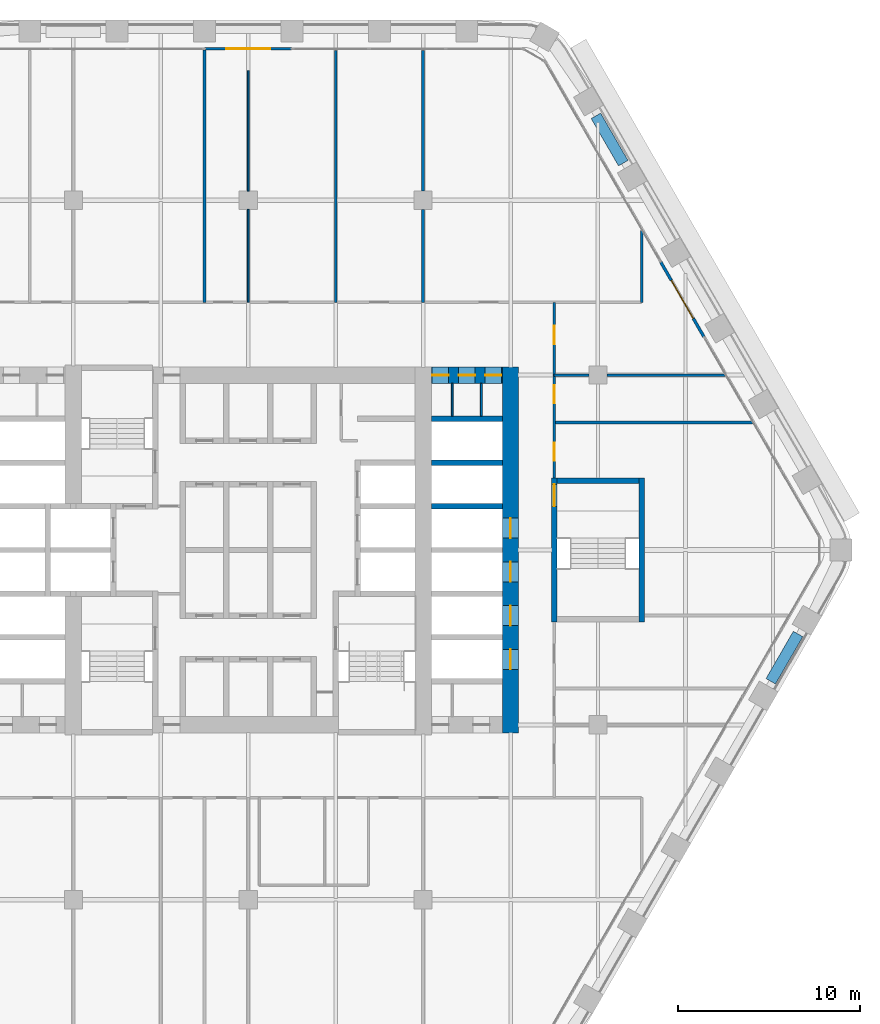
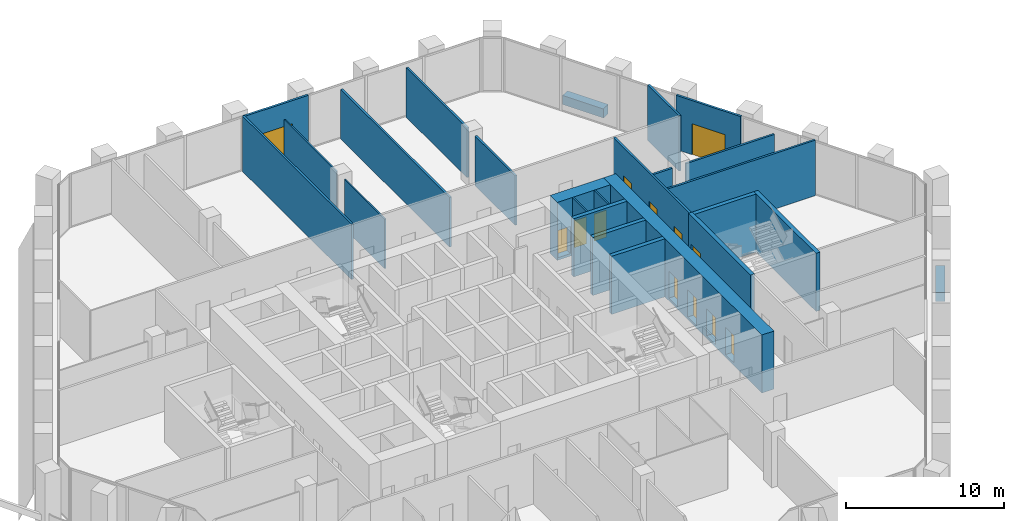
# One storey, part 19 of 26: 25 walls, 13 doors, 13 openings.
"""IFC4 building model written with IfcOpenShell, lengths in metres."""

from ifc_helpers import new_model, si_unit, direction, frame, frame_2d, origin, place, context, subcontext, project, spatial, rectangle, extrude, material, layer, layer_set, type_object, element, fill, save


model = new_model("IFC4")

# Units and contexts
model_context = context("Model", 3, precision=1e-05, world=origin(), true_north=direction((0.0, 1.0)))
body_context = subcontext(model_context, "Body", "Model", "MODEL_VIEW")
ifc_project = project(units=[si_unit("LENGTHUNIT", "METRE"), si_unit("AREAUNIT", "SQUARE_METRE"), si_unit("VOLUMEUNIT", "CUBIC_METRE"), si_unit("PLANEANGLEUNIT", "RADIAN"), si_unit("MASSUNIT", "GRAM", prefix="KILO")], contexts=[model_context])

# Site, building, storey
site_placement = place(None, origin())
site = spatial("IfcSite", under=ifc_project, at=site_placement, CompositionType="ELEMENT")
building_placement = place(site_placement, origin())
building = spatial("IfcBuilding", under=site, at=building_placement, Name="Kolab Exchange Tower", CompositionType="ELEMENT")
storey_placement = place(building_placement, frame((0.0, 0.0, 104.89990234375)))
storey = spatial("IfcBuildingStorey", under=building, at=storey_placement, Name="L20", CompositionType="ELEMENT", Elevation=104.89990234375)

# Wall, openings, doors
ifc_material_1 = material(Name="Concrete C70/85", Category="concrete")
ifc_layer_1 = layer(ifc_material_1, 0.89990234375)
ifc_layer_set_1 = layer_set([ifc_layer_1], Name="Concrete C70/85")
wall_type_1 = type_object("IfcWallType", Name="CORE WALL 900 C70/85", PredefinedType="SHEAR", material=ifc_layer_set_1)
wall_1_placement = place(storey_placement, frame((10.050048828125, 9.60009765625, -0.199951171875), z_axis=(0.0, 0.0, 1.0), x_axis=(1.0, 0.0, 0.0)))
wall_1 = element("IfcWall", 1, at=wall_1_placement, inside=storey, type_object=wall_type_1, Name="wall/L20/core/053", PredefinedType="SHEAR", context=body_context, shape_type="SweptSolid", body=[
    extrude(rectangle(XDim=3.89990234375, YDim=0.89990234375, at=frame_2d((1.949951171875, 0.0))), origin(), (0.0, 0.0, 1.0), 4.5),
])
opening_1_placement = place(wall_1_placement, frame((0.050048828125, 0.0, 0.199951171875)))
opening_1 = element("IfcOpeningElement", 2, at=opening_1_placement, cuts=wall_1, Name="Opening D6-211", PredefinedType="OPENING", context=body_context, shape_type="SweptSolid", body=[
    extrude(rectangle(XDim=0.89990234375, YDim=2.10009765625, at=frame_2d((0.449951171875, 1.050048828125))), frame((0.0, 0.4599609375, 0.0), z_axis=(0.0, -1.0, 0.0), x_axis=(1.0, 0.0, 0.0)), (0.0, 0.0, 1.0), 0.919921875),
])
opening_2_placement = place(wall_1_placement, frame((1.5, 0.0, 0.199951171875)))
opening_2 = element("IfcOpeningElement", 3, at=opening_2_placement, cuts=wall_1, Name="Opening D6-212", PredefinedType="OPENING", context=body_context, shape_type="SweptSolid", body=[
    extrude(rectangle(XDim=0.89990234375, YDim=2.10009765625, at=frame_2d((0.449951171875, 1.050048828125))), frame((0.0, 0.4599609375, 0.0), z_axis=(0.0, -1.0, 0.0), x_axis=(1.0, 0.0, 0.0)), (0.0, 0.0, 1.0), 0.919921875),
])
opening_3_placement = place(wall_1_placement, frame((2.949951171875, 0.0, 0.199951171875)))
opening_3 = element("IfcOpeningElement", 4, at=opening_3_placement, cuts=wall_1, Name="Opening D6-213", PredefinedType="OPENING", context=body_context, shape_type="SweptSolid", body=[
    extrude(rectangle(XDim=0.89990234375, YDim=2.10009765625, at=frame_2d((0.449951171875, 1.050048828125))), frame((0.0, 0.4599609375, 0.0), z_axis=(0.0, -1.0, 0.0), x_axis=(1.0, 0.0, 0.0)), (0.0, 0.0, 1.0), 0.919921875),
])
ifc_material_2 = material(Name="Steel S235", Category="steel")
door_type_1 = type_object("IfcDoorType", Name="CORE DOOR 900 EI 120", OperationType="SINGLE_SWING_LEFT", PredefinedType="DOOR", material=ifc_material_2)
door_1_placement = place(opening_1_placement, frame((0.89990234375, 0.0, 0.0), z_axis=(0.0, 0.0, 1.0), x_axis=(-1.0, 0.0, 0.0)))
door_1 = element("IfcDoor", 5, at=door_1_placement, inside=storey, type_object=door_type_1, Name="Service room door", OperationType="SINGLE_SWING_RIGHT", OverallHeight=2.10009765625, OverallWidth=0.89990234375, PredefinedType="DOOR", context=body_context, shape_type="SweptSolid", body=[
    extrude(rectangle(XDim=0.89990234375, YDim=2.10009765625, at=frame_2d((0.449951171875, 1.050048828125))), frame((0.0, 0.02490234375, 0.0), z_axis=(0.0, -1.0, 0.0), x_axis=(1.0, 0.0, 0.0)), (0.0, 0.0, 1.0), 0.050048828125),
])
fill(opening_1, door_1)
door_2_placement = place(opening_2_placement, frame((0.89990234375, 0.0, 0.0), z_axis=(0.0, 0.0, 1.0), x_axis=(-1.0, 0.0, 0.0)))
door_2 = element("IfcDoor", 6, at=door_2_placement, inside=storey, type_object=door_type_1, Name="Service room door", OperationType="SINGLE_SWING_LEFT", OverallHeight=2.10009765625, OverallWidth=0.89990234375, PredefinedType="DOOR", context=body_context, shape_type="SweptSolid", body=[
    extrude(rectangle(XDim=0.89990234375, YDim=2.10009765625, at=frame_2d((0.449951171875, 1.050048828125))), frame((0.0, 0.02490234375, 0.0), z_axis=(0.0, -1.0, 0.0), x_axis=(1.0, 0.0, 0.0)), (0.0, 0.0, 1.0), 0.050048828125),
])
fill(opening_2, door_2)
door_3_placement = place(opening_3_placement, frame((0.89990234375, 0.0, 0.0), z_axis=(0.0, 0.0, 1.0), x_axis=(-1.0, 0.0, 0.0)))
door_3 = element("IfcDoor", 7, at=door_3_placement, inside=storey, type_object=door_type_1, Name="Service room door", OperationType="SINGLE_SWING_LEFT", OverallHeight=2.10009765625, OverallWidth=0.89990234375, PredefinedType="DOOR", context=body_context, shape_type="SweptSolid", body=[
    extrude(rectangle(XDim=0.89990234375, YDim=2.10009765625, at=frame_2d((0.449951171875, 1.050048828125))), frame((0.0, 0.02490234375, 0.0), z_axis=(0.0, -1.0, 0.0), x_axis=(1.0, 0.0, 0.0)), (0.0, 0.0, 1.0), 0.050048828125),
])
fill(opening_3, door_3)

wall_2_placement = place(storey_placement, frame((14.39990234375, -10.050048828125, -0.199951171875), z_axis=(0.0, 0.0, 1.0), x_axis=(0.0, 1.0, 0.0)))
wall_2 = element("IfcWall", 8, at=wall_2_placement, inside=storey, type_object=wall_type_1, Name="wall/L20/core/081", PredefinedType="SHEAR", context=body_context, shape_type="SweptSolid", body=[
    extrude(rectangle(XDim=20.10009765625, YDim=0.89990234375, at=frame_2d((10.050048828125, 0.0))), origin(), (0.0, 0.0, 1.0), 4.5),
])
opening_4_placement = place(wall_2_placement, frame((3.5, 0.0, 0.199951171875)))
opening_4 = element("IfcOpeningElement", 9, at=opening_4_placement, cuts=wall_2, Name="Opening LD1-069", PredefinedType="OPENING", context=body_context, shape_type="SweptSolid", body=[
    extrude(rectangle(XDim=1.10009765625, YDim=2.10009765625, at=frame_2d((0.550048828125, 1.050048828125))), frame((0.0, 0.4599609375, 0.0), z_axis=(0.0, -1.0, 0.0), x_axis=(1.0, 0.0, 0.0)), (0.0, 0.0, 1.0), 0.919921875),
])
opening_5_placement = place(wall_2_placement, frame((5.89990234375, 0.0, 0.199951171875)))
opening_5 = element("IfcOpeningElement", 10, at=opening_5_placement, cuts=wall_2, Name="Opening LD1-070", PredefinedType="OPENING", context=body_context, shape_type="SweptSolid", body=[
    extrude(rectangle(XDim=1.10009765625, YDim=2.10009765625, at=frame_2d((0.550048828125, 1.050048828125))), frame((0.0, 0.4599609375, 0.0), z_axis=(0.0, -1.0, 0.0), x_axis=(1.0, 0.0, 0.0)), (0.0, 0.0, 1.0), 0.919921875),
])
opening_6_placement = place(wall_2_placement, frame((8.300048828125, 0.0, 0.199951171875)))
opening_6 = element("IfcOpeningElement", 11, at=opening_6_placement, cuts=wall_2, Name="Opening LD1-071", PredefinedType="OPENING", context=body_context, shape_type="SweptSolid", body=[
    extrude(rectangle(XDim=1.10009765625, YDim=2.10009765625, at=frame_2d((0.550048828125, 1.050048828125))), frame((0.0, 0.4599609375, 0.0), z_axis=(0.0, -1.0, 0.0), x_axis=(1.0, 0.0, 0.0)), (0.0, 0.0, 1.0), 0.919921875),
])
opening_7_placement = place(wall_2_placement, frame((10.699951171875, 0.0, 0.199951171875)))
opening_7 = element("IfcOpeningElement", 12, at=opening_7_placement, cuts=wall_2, Name="Opening LD1-072", PredefinedType="OPENING", context=body_context, shape_type="SweptSolid", body=[
    extrude(rectangle(XDim=1.10009765625, YDim=2.10009765625, at=frame_2d((0.550048828125, 1.050048828125))), frame((0.0, 0.4599609375, 0.0), z_axis=(0.0, -1.0, 0.0), x_axis=(1.0, 0.0, 0.0)), (0.0, 0.0, 1.0), 0.919921875),
])
ifc_material_3 = material(Name="Stainless steel 316", Category="steel")
door_type_2 = type_object("IfcDoorType", Name="LANDING DOOR 1100 PASSENGER", OperationType="DOUBLE_DOOR_SLIDING", PredefinedType="DOOR", material=ifc_material_3)
door_4_placement = place(opening_4_placement, origin())
door_4 = element("IfcDoor", 13, at=door_4_placement, inside=storey, type_object=door_type_2, Name="Landing door LR1", OperationType="DOUBLE_DOOR_SLIDING", OverallHeight=2.10009765625, OverallWidth=1.10009765625, PredefinedType="DOOR", context=body_context, shape_type="SweptSolid", body=[
    extrude(rectangle(XDim=1.10009765625, YDim=2.10009765625, at=frame_2d((0.550048828125, 1.050048828125))), frame((0.0, 0.02490234375, 0.0), z_axis=(0.0, -1.0, 0.0), x_axis=(1.0, 0.0, 0.0)), (0.0, 0.0, 1.0), 0.050048828125),
])
fill(opening_4, door_4)
door_5_placement = place(opening_5_placement, origin())
door_5 = element("IfcDoor", 14, at=door_5_placement, inside=storey, type_object=door_type_2, Name="Landing door LR2", OperationType="DOUBLE_DOOR_SLIDING", OverallHeight=2.10009765625, OverallWidth=1.10009765625, PredefinedType="DOOR", context=body_context, shape_type="SweptSolid", body=[
    extrude(rectangle(XDim=1.10009765625, YDim=2.10009765625, at=frame_2d((0.550048828125, 1.050048828125))), frame((0.0, 0.02490234375, 0.0), z_axis=(0.0, -1.0, 0.0), x_axis=(1.0, 0.0, 0.0)), (0.0, 0.0, 1.0), 0.050048828125),
])
fill(opening_5, door_5)
door_6_placement = place(opening_6_placement, origin())
door_6 = element("IfcDoor", 15, at=door_6_placement, inside=storey, type_object=door_type_2, Name="Landing door LR3", OperationType="DOUBLE_DOOR_SLIDING", OverallHeight=2.10009765625, OverallWidth=1.10009765625, PredefinedType="DOOR", context=body_context, shape_type="SweptSolid", body=[
    extrude(rectangle(XDim=1.10009765625, YDim=2.10009765625, at=frame_2d((0.550048828125, 1.050048828125))), frame((0.0, 0.02490234375, 0.0), z_axis=(0.0, -1.0, 0.0), x_axis=(1.0, 0.0, 0.0)), (0.0, 0.0, 1.0), 0.050048828125),
])
fill(opening_6, door_6)
door_7_placement = place(opening_7_placement, origin())
door_7 = element("IfcDoor", 16, at=door_7_placement, inside=storey, type_object=door_type_2, Name="Landing door LR4", OperationType="DOUBLE_DOOR_SLIDING", OverallHeight=2.10009765625, OverallWidth=1.10009765625, PredefinedType="DOOR", context=body_context, shape_type="SweptSolid", body=[
    extrude(rectangle(XDim=1.10009765625, YDim=2.10009765625, at=frame_2d((0.550048828125, 1.050048828125))), frame((0.0, 0.02490234375, 0.0), z_axis=(0.0, -1.0, 0.0), x_axis=(1.0, 0.0, 0.0)), (0.0, 0.0, 1.0), 0.050048828125),
])
fill(opening_7, door_7)

# Wall, opening, door
ifc_material_4 = material(Name="Aluminium EN AW-6063 T6", Category="aluminium")
ifc_layer_2 = layer(ifc_material_4, 0.159912109375)
ifc_layer_set_2 = layer_set([ifc_layer_2], Name="Aluminium EN AW-6063 T6")
wall_type_2 = type_object("IfcWallType", Name="DOOR SURROUND WALL 160 ALUMINIUM FRAMED", PredefinedType="PARTITIONING", material=ifc_layer_set_2)
wall_3_placement = place(storey_placement, frame((-2.3701171875, 27.5185546875, 0.0), z_axis=(0.0, 0.0, 1.0), x_axis=(1.0, 0.0, 0.0)))
wall_3 = element("IfcWall", 17, at=wall_3_placement, inside=storey, type_object=wall_type_2, Name="Door surround wall", PredefinedType="PARTITIONING", context=body_context, shape_type="SweptSolid", body=[
    extrude(rectangle(XDim=4.740234375, YDim=0.159912109375, at=frame_2d((2.3701171875, 0.0))), origin(), (0.0, 0.0, 1.0), 4.2001953125),
])
opening_8_placement = place(wall_3_placement, frame((1.169921875, 0.0, 0.0)))
opening_8 = element("IfcOpeningElement", 18, at=opening_8_placement, cuts=wall_3, Name="Opening GD1-043", PredefinedType="OPENING", context=body_context, shape_type="SweptSolid", body=[
    extrude(rectangle(XDim=2.39990234375, YDim=2.39990234375, at=frame_2d((1.199951171875, 1.199951171875))), frame((0.0, 0.08984375, 0.0), z_axis=(0.0, -1.0, 0.0), x_axis=(1.0, 0.0, 0.0)), (0.0, 0.0, 1.0), 0.179931640625),
])
door_type_3 = type_object("IfcDoorType", Name="LOGGIA SLIDING GLASS DOOR 2400 X 2400", OperationType="DOUBLE_DOOR_SINGLE_SWING", PredefinedType="DOOR", material=ifc_material_4)
door_8_placement = place(opening_8_placement, origin())
door_8 = element("IfcDoor", 19, at=door_8_placement, inside=storey, type_object=door_type_3, Name="Loggia door", OperationType="DOUBLE_DOOR_SLIDING", OverallHeight=2.39990234375, OverallWidth=2.39990234375, PredefinedType="DOOR", context=body_context, shape_type="SweptSolid", body=[
    extrude(rectangle(XDim=2.39990234375, YDim=2.39990234375, at=frame_2d((1.199951171875, 1.199951171875))), frame((0.0, 0.02490234375, 0.0), z_axis=(0.0, -1.0, 0.0), x_axis=(1.0, 0.0, 0.0)), (0.0, 0.0, 1.0), 0.050048828125),
])
fill(opening_8, door_8)

wall_4_placement = place(storey_placement, frame((22.646728515625, 15.811767578125, 0.0), z_axis=(0.0, 0.0, 1.0), x_axis=(0.499978080042, -0.866038058908, 0.0)))
wall_4 = element("IfcWall", 20, at=wall_4_placement, inside=storey, type_object=wall_type_2, Name="Door surround wall", PredefinedType="PARTITIONING", context=body_context, shape_type="SweptSolid", body=[
    extrude(rectangle(XDim=4.739990234375, YDim=0.159912109375, at=frame_2d((2.3701171875, 0.0))), origin(), (0.0, 0.0, 1.0), 4.2001953125),
])
opening_9_placement = place(wall_4_placement, frame((1.169921875, 0.0, 0.0)))
opening_9 = element("IfcOpeningElement", 21, at=opening_9_placement, cuts=wall_4, Name="Opening GD1-044", PredefinedType="OPENING", context=body_context, shape_type="SweptSolid", body=[
    extrude(rectangle(XDim=2.39990234375, YDim=2.39990234375, at=frame_2d((1.199951171875, 1.199951171875))), frame((0.0, 0.08984375, 0.0), z_axis=(0.0, -1.0, 0.0), x_axis=(1.0, 0.0, 0.0)), (0.0, 0.0, 1.0), 0.179931640625),
])
door_9_placement = place(opening_9_placement, origin())
door_9 = element("IfcDoor", 22, at=door_9_placement, inside=storey, type_object=door_type_3, Name="Loggia door", OperationType="DOUBLE_DOOR_SLIDING", OverallHeight=2.39990234375, OverallWidth=2.39990234375, PredefinedType="DOOR", context=body_context, shape_type="SweptSolid", body=[
    extrude(rectangle(XDim=2.39990234375, YDim=2.39990234375, at=frame_2d((1.199951171875, 1.199951171875))), frame((0.0, 0.02490234375, 0.0), z_axis=(0.0, -1.0, 0.0), x_axis=(1.0, 0.0, 0.0)), (0.0, 0.0, 1.0), 0.050048828125),
])
fill(opening_9, door_9)

# Walls
ifc_material_5 = material(Name="Concrete C50/60", Category="concrete")
ifc_layer_3 = layer(ifc_material_5, 0.300048828125)
ifc_layer_set_3 = layer_set([ifc_layer_3], Name="Concrete C50/60")
wall_type_3 = type_object("IfcWallType", Name="LIFT SHAFT WALL 300 C50/60", PredefinedType="STANDARD", material=ifc_layer_set_3)
for number, where, z_axis, x_axis, name in (
    (23, (10.050048828125, 2.39990234375, -0.199951171875), (0.0, 0.0, 1.0), (1.0, 0.0, 0.0), "wall/L20/core/036"),
    (24, (10.050048828125, 4.800048828125, -0.199951171875), (0.0, 0.0, 1.0), (1.0, 0.0, 0.0), "wall/L20/core/044"),
    (25, (10.050048828125, 7.199951171875, -0.199951171875), (0.0, 0.0, 1.0), (1.0, 0.0, 0.0), "wall/L20/core/050"),
):
    element("IfcWall", number, at=place(storey_placement, frame(where, z_axis=z_axis, x_axis=x_axis)), inside=storey, type_object=wall_type_3, Name=name, PredefinedType="STANDARD", context=body_context, shape_type="SweptSolid", body=[
        extrude(rectangle(XDim=3.89990234375, YDim=0.300048828125, at=frame_2d((1.949951171875, 0.0))), origin(), (0.0, 0.0, 1.0), 4.5),
    ])
ifc_material_6 = material(Name="Gypsum board", Category="gypsum")
ifc_layer_4 = layer(ifc_material_6, 0.10009765625)
ifc_layer_set_4 = layer_set([ifc_layer_4], Name="Gypsum board")
wall_type_4 = type_object("IfcWallType", Name="PARTITION 100", PredefinedType="PARTITIONING", material=ifc_layer_set_4)
for number, where, z_axis, x_axis, name in (
    (26, (12.800048828125, 7.35009765625, 0.0), (0.0, 0.0, 1.0), (0.0, 1.0, 0.0), "Partition 004"),
    (27, (11.199951171875, 7.35009765625, 0.0), (0.0, 0.0, 1.0), (0.0, 1.0, 0.0), "Partition 006"),
):
    element("IfcWall", number, at=place(storey_placement, frame(where, z_axis=z_axis, x_axis=x_axis)), inside=storey, type_object=wall_type_4, Name=name, PredefinedType="PARTITIONING", context=body_context, shape_type="SweptSolid", body=[
        extrude(rectangle(XDim=1.7998046875, YDim=0.10009765625, at=frame_2d((0.89990234375, 0.0))), origin(), (0.0, 0.0, 1.0), 4.300048828125),
    ])
wall_5_placement = place(storey_placement, frame((0.0, 13.60009765625, 0.0), z_axis=(0.0, 0.0, 1.0), x_axis=(0.0, 1.0, 0.0)))
element("IfcWall", 28, at=wall_5_placement, inside=storey, type_object=wall_type_4, Name="Partition 016", PredefinedType="PARTITIONING", context=body_context, shape_type="SweptSolid", body=[
    extrude(rectangle(XDim=5.099853515625, YDim=0.10009765625, at=frame_2d((2.5498046875, 0.0))), origin(), (0.0, 0.0, 1.0), 3.843017578125),
])
wall_6_placement = place(storey_placement, frame((0.0, 19.699951171875, 0.0), z_axis=(0.0, 0.0, 1.0), x_axis=(0.0, 1.0, 0.0)))
element("IfcWall", 29, at=wall_6_placement, inside=storey, type_object=wall_type_4, Name="Partition 017", PredefinedType="PARTITIONING", context=body_context, shape_type="SweptSolid", body=[
    extrude(rectangle(XDim=6.61865234375, YDim=0.10009765625, at=frame_2d((3.309326171875, 0.0))), origin(), (0.0, 0.0, 1.0), 3.843017578125),
])
ifc_layer_5 = layer(ifc_material_6, 0.14990234375)
ifc_layer_set_5 = layer_set([ifc_layer_5], Name="Gypsum board")
wall_type_5 = type_object("IfcWallType", Name="PARTITION 150 FIRE-RATED", PredefinedType="PARTITIONING", material=ifc_layer_set_5)
wall_7_placement = place(storey_placement, frame((21.60009765625, 13.60009765625, 0.0), z_axis=(0.0, 0.0, 1.0), x_axis=(0.0, 1.0, 0.0)))
element("IfcWall", 30, at=wall_7_placement, inside=storey, type_object=wall_type_5, Name="Partition 001", PredefinedType="PARTITIONING", context=body_context, shape_type="SweptSolid", body=[
    extrude(rectangle(XDim=3.944580078125, YDim=0.14990234375, at=frame_2d((1.97216796875, 0.0))), origin(), (0.0, 0.0, 1.0), 4.300048828125),
])

# Wall, openings, doors
wall_8_placement = place(storey_placement, frame((16.800048828125, 3.949951171875, 0.0), z_axis=(0.0, 0.0, 1.0), x_axis=(0.0, 1.0, 0.0)))
wall_8 = element("IfcWall", 31, at=wall_8_placement, inside=storey, type_object=wall_type_5, Name="Partition 003", PredefinedType="PARTITIONING", context=body_context, shape_type="SweptSolid", body=[
    extrude(rectangle(XDim=9.650146484375, YDim=0.14990234375, at=frame_2d((4.8251953125, 0.0))), origin(), (0.0, 0.0, 1.0), 4.300048828125),
])
opening_10_placement = place(wall_8_placement, frame((0.949951171875, 0.0, 0.0)))
opening_10 = element("IfcOpeningElement", 32, at=opening_10_placement, cuts=wall_8, Name="Opening D1-273", PredefinedType="OPENING", context=body_context, shape_type="SweptSolid", body=[
    extrude(rectangle(XDim=1.0, YDim=2.10009765625, at=frame_2d((0.5, 1.050048828125))), frame((0.0, 0.0849609375, 0.0), z_axis=(0.0, -1.0, 0.0), x_axis=(1.0, 0.0, 0.0)), (0.0, 0.0, 1.0), 0.169921875),
])
opening_11_placement = place(wall_8_placement, frame((4.094970703125, 0.0, 0.0)))
opening_11 = element("IfcOpeningElement", 33, at=opening_11_placement, cuts=wall_8, Name="Opening D1-274", PredefinedType="OPENING", context=body_context, shape_type="SweptSolid", body=[
    extrude(rectangle(XDim=1.0, YDim=2.10009765625, at=frame_2d((0.5, 1.050048828125))), frame((0.0, 0.0849609375, 0.0), z_axis=(0.0, -1.0, 0.0), x_axis=(1.0, 0.0, 0.0)), (0.0, 0.0, 1.0), 0.169921875),
])
opening_12_placement = place(wall_8_placement, frame((7.35009765625, 0.0, 0.0)))
opening_12 = element("IfcOpeningElement", 34, at=opening_12_placement, cuts=wall_8, Name="Opening D1-275", PredefinedType="OPENING", context=body_context, shape_type="SweptSolid", body=[
    extrude(rectangle(XDim=1.0, YDim=2.10009765625, at=frame_2d((0.5, 1.050048828125))), frame((0.0, 0.0849609375, 0.0), z_axis=(0.0, -1.0, 0.0), x_axis=(1.0, 0.0, 0.0)), (0.0, 0.0, 1.0), 0.169921875),
])
door_type_4 = type_object("IfcDoorType", Name="FLUSH DOOR 1000 FD60", OperationType="SINGLE_SWING_LEFT", PredefinedType="DOOR", material=ifc_material_2)
door_10_placement = place(opening_10_placement, frame((1.0, 0.0, 0.0), z_axis=(0.0, 0.0, 1.0), x_axis=(-1.0, 0.0, 0.0)))
door_10 = element("IfcDoor", 35, at=door_10_placement, inside=storey, type_object=door_type_4, Name="Door L20-067", OperationType="SINGLE_SWING_RIGHT", OverallHeight=2.10009765625, OverallWidth=1.0, PredefinedType="DOOR", context=body_context, shape_type="SweptSolid", body=[
    extrude(rectangle(XDim=1.0, YDim=2.10009765625, at=frame_2d((0.5, 1.050048828125))), frame((0.0, 0.02490234375, 0.0), z_axis=(0.0, -1.0, 0.0), x_axis=(1.0, 0.0, 0.0)), (0.0, 0.0, 1.0), 0.050048828125),
])
fill(opening_10, door_10)
door_11_placement = place(opening_11_placement, frame((1.0, 0.0, 0.0), z_axis=(0.0, 0.0, 1.0), x_axis=(-1.0, 0.0, 0.0)))
door_11 = element("IfcDoor", 36, at=door_11_placement, inside=storey, type_object=door_type_4, Name="Door L20-068", OperationType="SINGLE_SWING_RIGHT", OverallHeight=2.10009765625, OverallWidth=1.0, PredefinedType="DOOR", context=body_context, shape_type="SweptSolid", body=[
    extrude(rectangle(XDim=1.0, YDim=2.10009765625, at=frame_2d((0.5, 1.050048828125))), frame((0.0, 0.02490234375, 0.0), z_axis=(0.0, -1.0, 0.0), x_axis=(1.0, 0.0, 0.0)), (0.0, 0.0, 1.0), 0.050048828125),
])
fill(opening_11, door_11)
door_12_placement = place(opening_12_placement, frame((1.0, 0.0, 0.0), z_axis=(0.0, 0.0, 1.0), x_axis=(-1.0, 0.0, 0.0)))
door_12 = element("IfcDoor", 37, at=door_12_placement, inside=storey, type_object=door_type_4, Name="Door L20-069", OperationType="SINGLE_SWING_RIGHT", OverallHeight=2.10009765625, OverallWidth=1.0, PredefinedType="DOOR", context=body_context, shape_type="SweptSolid", body=[
    extrude(rectangle(XDim=1.0, YDim=2.10009765625, at=frame_2d((0.5, 1.050048828125))), frame((0.0, 0.02490234375, 0.0), z_axis=(0.0, -1.0, 0.0), x_axis=(1.0, 0.0, 0.0)), (0.0, 0.0, 1.0), 0.050048828125),
])
fill(opening_12, door_12)

# Walls
wall_9_placement = place(storey_placement, frame((9.60009765625, 13.60009765625, 0.0), z_axis=(0.0, 0.0, 1.0), x_axis=(0.0, 1.0, 0.0)))
element("IfcWall", 38, at=wall_9_placement, inside=storey, type_object=wall_type_5, Name="Partition 009", PredefinedType="PARTITIONING", context=body_context, shape_type="SweptSolid", body=[
    extrude(rectangle(XDim=5.099853515625, YDim=0.14990234375, at=frame_2d((2.5498046875, 0.0))), origin(), (0.0, 0.0, 1.0), 3.843017578125),
])
wall_10_placement = place(storey_placement, frame((9.60009765625, 19.699951171875, 0.0), z_axis=(0.0, 0.0, 1.0), x_axis=(0.0, 1.0, 0.0)))
element("IfcWall", 39, at=wall_10_placement, inside=storey, type_object=wall_type_5, Name="Partition 010", PredefinedType="PARTITIONING", context=body_context, shape_type="SweptSolid", body=[
    extrude(rectangle(XDim=7.728515625, YDim=0.14990234375, at=frame_2d((3.8642578125, 0.0))), origin(), (0.0, 0.0, 1.0), 3.843017578125),
])
wall_11_placement = place(storey_placement, frame((4.800048828125, 13.60009765625, 0.0), z_axis=(0.0, 0.0, 1.0), x_axis=(0.0, 1.0, 0.0)))
element("IfcWall", 40, at=wall_11_placement, inside=storey, type_object=wall_type_5, Name="Partition 013", PredefinedType="PARTITIONING", context=body_context, shape_type="SweptSolid", body=[
    extrude(rectangle(XDim=13.828369140625, YDim=0.14990234375, at=frame_2d((6.9140625, 0.0))), origin(), (0.0, 0.0, 1.0), 3.843017578125),
])
wall_12_placement = place(storey_placement, frame((-2.39990234375, 13.60009765625, 0.0), z_axis=(0.0, 0.0, 1.0), x_axis=(0.0, 1.0, 0.0)))
element("IfcWall", 41, at=wall_12_placement, inside=storey, type_object=wall_type_5, Name="Partition 021", PredefinedType="PARTITIONING", context=body_context, shape_type="SweptSolid", body=[
    extrude(rectangle(XDim=13.83837890625, YDim=0.14990234375, at=frame_2d((6.919189453125, 0.0))), origin(), (0.0, 0.0, 1.0), 4.300048828125),
])
wall_13_placement = place(storey_placement, frame((16.800048828125, 7.0, 0.0), z_axis=(0.0, 0.0, 1.0), x_axis=(1.0, 0.0, 0.0)))
element("IfcWall", 42, at=wall_13_placement, inside=storey, type_object=wall_type_5, Name="Partition 049", PredefinedType="PARTITIONING", context=body_context, shape_type="SweptSolid", body=[
    extrude(rectangle(XDim=10.887939453125, YDim=0.14990234375, at=frame_2d((5.44384765625, 0.0))), origin(), (0.0, 0.0, 1.0), 4.300048828125),
])
wall_14_placement = place(storey_placement, frame((16.800048828125, 9.60009765625, 0.0), z_axis=(0.0, 0.0, 1.0), x_axis=(1.0, 0.0, 0.0)))
element("IfcWall", 43, at=wall_14_placement, inside=storey, type_object=wall_type_5, Name="Partition 052", PredefinedType="PARTITIONING", context=body_context, shape_type="SweptSolid", body=[
    extrude(rectangle(XDim=1.89990234375, YDim=0.14990234375, at=frame_2d((0.949951171875, 0.0))), origin(), (0.0, 0.0, 1.0), 3.692138671875),
])
wall_15_placement = place(storey_placement, frame((19.699951171875, 9.60009765625, 0.0), z_axis=(0.0, 0.0, 1.0), x_axis=(1.0, 0.0, 0.0)))
element("IfcWall", 44, at=wall_15_placement, inside=storey, type_object=wall_type_5, Name="Partition 053", PredefinedType="PARTITIONING", context=body_context, shape_type="SweptSolid", body=[
    extrude(rectangle(XDim=6.48681640625, YDim=0.14990234375, at=frame_2d((3.243408203125, 0.0))), origin(), (0.0, 0.0, 1.0), 3.692138671875),
])
ifc_material_7 = material(Name="Granite facing", Category="masonry")
ifc_layer_6 = layer(ifc_material_7, 0.0400390625)
ifc_material_8 = material(Name="Concrete C40/50 precast", Category="concrete")
ifc_layer_7 = layer(ifc_material_8, 0.56005859375)
ifc_layer_set_6 = layer_set([ifc_layer_6, ifc_layer_7], Name="Concrete C40/50 precast")
wall_type_6 = type_object("IfcWallType", Name="PLANTER BOX 600 X 700 SOIL DEPTH 550", PredefinedType="USERDEFINED", material=ifc_layer_set_6)
for number, where, z_axis, x_axis, name in (
    (45, (19.087158203125, 23.837158203125, 0.0), (0.0, 0.0, 1.0), (0.499990139034, -0.866031096941, 0.0), "Planter"),
    (46, (30.18701171875, -4.611328125, 0.0), (0.0, 0.0, 1.0), (-0.499990139034, -0.866031096941, 0.0), "Planter"),
):
    element("IfcWall", number, at=place(storey_placement, frame(where, z_axis=z_axis, x_axis=x_axis)), inside=storey, type_object=wall_type_6, Name=name, ObjectType="PLANTER", PredefinedType="USERDEFINED", context=body_context, shape_type="SweptSolid", body=[
        extrude(rectangle(XDim=3.0, YDim=0.60009765625, at=frame_2d((1.5, 0.0))), origin(), (0.0, 0.0, 1.0), 0.7001953125),
    ])
ifc_layer_8 = layer(ifc_material_5, 0.300048828125)
ifc_layer_set_7 = layer_set([ifc_layer_8], Name="Concrete C50/60")
wall_type_7 = type_object("IfcWallType", Name="STAIR ENCLOSURE WALL 300 C50/60", PredefinedType="STANDARD", material=ifc_layer_set_7)
wall_16_placement = place(storey_placement, frame((16.949951171875, 3.800048828125, -0.199951171875), z_axis=(0.0, 0.0, 1.0), x_axis=(1.0, 0.0, 0.0)))
element("IfcWall", 47, at=wall_16_placement, inside=storey, type_object=wall_type_7, Name="wall/L20/core/041", PredefinedType="STANDARD", context=body_context, shape_type="SweptSolid", body=[
    extrude(rectangle(XDim=4.5, YDim=0.300048828125, at=frame_2d((2.25, 0.0))), origin(), (0.0, 0.0, 1.0), 4.5),
])

# Wall, opening, door
wall_17_placement = place(storey_placement, frame((16.800048828125, -3.949951171875, -0.199951171875), z_axis=(0.0, 0.0, 1.0), x_axis=(0.0, 1.0, 0.0)))
wall_17 = element("IfcWall", 48, at=wall_17_placement, inside=storey, type_object=wall_type_7, Name="wall/L20/core/082", PredefinedType="STANDARD", context=body_context, shape_type="SweptSolid", body=[
    extrude(rectangle(XDim=7.89990234375, YDim=0.300048828125, at=frame_2d((3.949951171875, 0.0))), origin(), (0.0, 0.0, 1.0), 4.5),
])
opening_13_placement = place(wall_17_placement, frame((6.35009765625, 0.0, 0.199951171875)))
opening_13 = element("IfcOpeningElement", 49, at=opening_13_placement, cuts=wall_17, Name="Opening D4-047", PredefinedType="OPENING", context=body_context, shape_type="SweptSolid", body=[
    extrude(rectangle(XDim=1.199951171875, YDim=2.10009765625, at=frame_2d((0.60009765625, 1.050048828125))), frame((0.0, 0.16015625, 0.0), z_axis=(0.0, -1.0, 0.0), x_axis=(1.0, 0.0, 0.0)), (0.0, 0.0, 1.0), 0.320068359375),
])
door_type_5 = type_object("IfcDoorType", Name="STAIR DOOR 1200 EI 120", OperationType="SINGLE_SWING_LEFT", PredefinedType="DOOR", material=ifc_material_2)
door_13_placement = place(opening_13_placement, frame((1.199951171875, 0.0, 0.0), z_axis=(0.0, 0.0, 1.0), x_axis=(-1.0, 0.0, 0.0)))
door_13 = element("IfcDoor", 50, at=door_13_placement, inside=storey, type_object=door_type_5, Name="Stair 4 door", OperationType="SINGLE_SWING_RIGHT", OverallHeight=2.10009765625, OverallWidth=1.199951171875, PredefinedType="DOOR", context=body_context, shape_type="SweptSolid", body=[
    extrude(rectangle(XDim=1.199951171875, YDim=2.10009765625, at=frame_2d((0.60009765625, 1.050048828125))), frame((0.0, 0.02490234375, 0.0), z_axis=(0.0, -1.0, 0.0), x_axis=(1.0, 0.0, 0.0)), (0.0, 0.0, 1.0), 0.050048828125),
])
fill(opening_13, door_13)

# Wall
wall_18_placement = place(storey_placement, frame((21.60009765625, -3.949951171875, -0.199951171875), z_axis=(0.0, 0.0, 1.0), x_axis=(0.0, 1.0, 0.0)))
element("IfcWall", 51, at=wall_18_placement, inside=storey, type_object=wall_type_7, Name="wall/L20/core/083", PredefinedType="STANDARD", context=body_context, shape_type="SweptSolid", body=[
    extrude(rectangle(XDim=7.89990234375, YDim=0.300048828125, at=frame_2d((3.949951171875, 0.0))), origin(), (0.0, 0.0, 1.0), 4.5),
])

save(model, "model.ifc")
